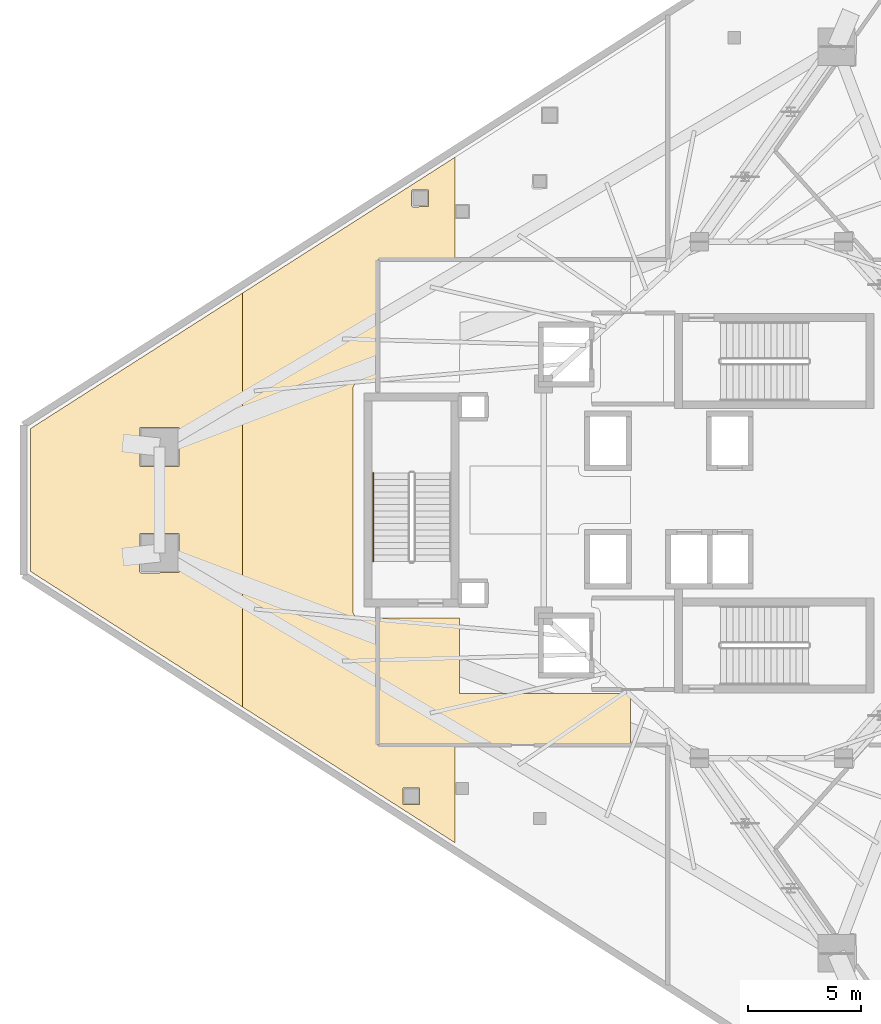
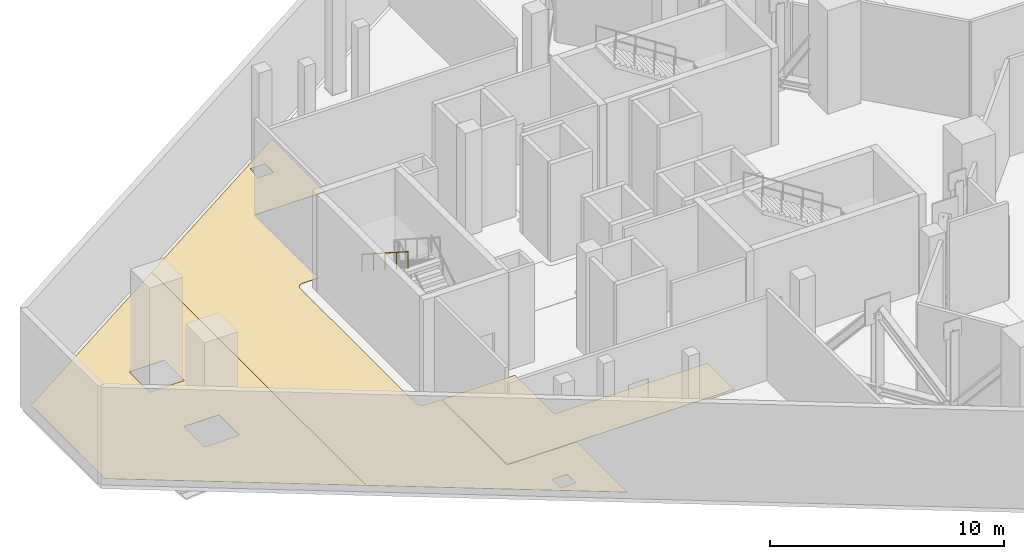
# One storey, part 5 of 9: 3 coverings, 1 railing.
"""IFC4 building model written with IfcOpenShell, lengths in metres."""

from ifc_helpers import new_model, si_unit, direction, frame, origin, origin_2d, place, context, subcontext, project, spatial, polyline, circle, outline, extrude, material, layer, layer_set, type_object, element, save


model = new_model("IFC4")

# Units and contexts
model_context = context("Model", 3, precision=1e-05, world=origin(), true_north=direction((0.0, 1.0)))
body_context = subcontext(model_context, "Body", "Model", "MODEL_VIEW")
ifc_project = project(units=[si_unit("LENGTHUNIT", "METRE"), si_unit("AREAUNIT", "SQUARE_METRE"), si_unit("VOLUMEUNIT", "CUBIC_METRE"), si_unit("PLANEANGLEUNIT", "RADIAN"), si_unit("MASSUNIT", "GRAM", prefix="KILO")], contexts=[model_context])

# Site, building, storey
site_placement = place(None, origin())
site = spatial("IfcSite", under=ifc_project, at=site_placement, CompositionType="ELEMENT")
building_placement = place(site_placement, origin())
building = spatial("IfcBuilding", under=site, at=building_placement, Name="Qorvath Tower", CompositionType="ELEMENT")
storey_placement = place(building_placement, frame((0.0, 0.0, 249.60009765625)))
storey = spatial("IfcBuildingStorey", under=building, at=storey_placement, Name="L58", CompositionType="ELEMENT", Elevation=249.60009765625)

# Coverings
ifc_material_1 = material(Name="Low-VOC modular carpet tile", Category="textile")
ifc_layer_1 = layer(ifc_material_1, 0.014892578125)
ifc_layer_set_1 = layer_set([ifc_layer_1], Name="COV-FLOOR-CPT")
covering_type_1 = type_object("IfcCoveringType", Name="COV-FLOOR-CPT", PredefinedType="FLOORING", material=ifc_layer_set_1)
covering_1_placement = place(storey_placement, origin())
element("IfcCovering", 1, at=covering_1_placement, inside=storey, type_object=covering_type_1, Name="L58 Floor Finish 006", PredefinedType="FLOORING", context=body_context, shape_type="SweptSolid", body=[
    extrude(outline(polyline([(-53.266357421875, 3.16064453125), (-53.266357421875, -3.16064453125), (-43.845947265625, -9.181396484375), (-43.845947265625, 9.181396484375), (-53.266357421875, 3.16064453125)]), holes=[polyline([(-48.422607421875, -3.174560546875), (-48.405029296875, -1.482177734375), (-46.670166015625, -1.482177734375), (-46.670166015625, -3.217041015625), (-48.362548828125, -3.234619140625), (-48.422607421875, -3.174560546875)]), polyline([(-48.405029296875, 1.482177734375), (-48.405029296875, 3.217041015625), (-46.670166015625, 3.217041015625), (-46.670166015625, 1.482177734375), (-48.405029296875, 1.482177734375)])]), origin(), (0.0, 0.0, 1.0), 0.014892578125),
])
covering_2_placement = place(storey_placement, origin())
element("IfcCovering", 2, at=covering_2_placement, inside=storey, type_object=covering_type_1, Name="L58 Floor Finish 007", PredefinedType="FLOORING", context=body_context, shape_type="SweptSolid", body=[
    extrude(outline(polyline([(-43.845947265625, 9.181396484375), (-43.845947265625, -9.181396484375), (-34.425537109375, -15.202392578125), (-34.425537109375, -10.86181640625), (-37.861572265625, -10.861572265625), (-37.863037109375, -5.239990234375), (-38.699951171875, -5.239990234375), (-38.876708984375, -5.166748046875), (-38.949951171875, -4.989990234375), (-38.949951171875, 4.989990234375), (-38.876708984375, 5.166748046875), (-38.699951171875, 5.239990234375), (-37.863037109375, 5.239990234375), (-37.85791015625, 10.6630859375), (-34.425537109375, 10.6630859375), (-34.425537109375, 15.202392578125), (-43.845947265625, 9.181396484375)]), holes=[polyline([(-36.36572265625, 13.055908203125), (-36.34814453125, 13.748291015625), (-35.61328125, 13.748291015625), (-35.61328125, 13.013427734375), (-36.3056640625, 12.995849609375), (-36.36572265625, 13.055908203125)]), polyline([(-36.732177734375, -13.5029296875), (-36.732177734375, -12.76806640625), (-35.997314453125, -12.76806640625), (-35.997314453125, -13.5029296875), (-36.732177734375, -13.5029296875)])]), origin(), (0.0, 0.0, 1.0), 0.014892578125),
])
ifc_material_2 = material(Name="Polished epoxy terrazzo flooring", Category="concrete")
ifc_layer_2 = layer(ifc_material_2, 0.02001953125)
ifc_layer_set_2 = layer_set([ifc_layer_2], Name="COV-FLOOR-TRZ")
covering_type_2 = type_object("IfcCoveringType", Name="COV-FLOOR-TRZ", PredefinedType="FLOORING", material=ifc_layer_set_2)
covering_3_placement = place(storey_placement, origin())
element("IfcCovering", 3, at=covering_3_placement, inside=storey, type_object=covering_type_2, Name="L58 Floor Finish 003", PredefinedType="FLOORING", context=body_context, shape_type="SweptSolid", body=[
    extrude(outline(polyline([(-34.22509765625, -8.580078125), (-34.22509765625, -5.239990234375), (-37.844970703125, -5.239990234375), (-37.844970703125, -10.844970703125), (-26.647705078125, -10.844970703125), (-26.647705078125, -8.5751953125), (-34.22509765625, -8.580078125)])), origin(), (0.0, 0.0, 1.0), 0.014892578125),
])

# Railing
ifc_material_3 = material(Name="Brushed stainless steel AISI 304", Category="steel")
railing_type = type_object("IfcRailingType", Name="RL-STR-HND", PredefinedType="HANDRAIL", material=ifc_material_3)
railing_placement = place(storey_placement, frame((-38.06005859375, 1.199951171875, 2.8798828125)))
element("IfcRailing", 4, at=railing_placement, inside=storey, type_object=railing_type, Name="L58 TS3 stair handrail 2", PredefinedType="HANDRAIL", context=body_context, shape_type="SweptSolid", body=[
    extrude(circle(Radius=0.02392578125, at=origin_2d()), frame((0.0, 0.0, 0.8759765625), z_axis=(0.0, -0.841171666519, 0.540768182723), x_axis=(1.0, 0.0, 0.0)), (0.0, 0.0, 1.0), 4.66015625),
    extrude(circle(Radius=0.02099609375, at=origin_2d()), origin(), (0.0, 0.0, 1.0), 0.851806640625),
    extrude(circle(Radius=0.02099609375, at=origin_2d()), frame((0.0, -0.97998046875, 0.6298828125)), (0.0, 0.0, 1.0), 0.851806640625),
    extrude(circle(Radius=0.02099609375, at=origin_2d()), frame((0.0, -1.9599609375, 1.260009765625)), (0.0, 0.0, 1.0), 0.851806640625),
    extrude(circle(Radius=0.02099609375, at=origin_2d()), frame((0.0, -2.93994140625, 1.89013671875)), (0.0, 0.0, 1.0), 0.851806640625),
    extrude(circle(Radius=0.02099609375, at=origin_2d()), frame((0.0, -3.919921875, 2.52001953125)), (0.0, 0.0, 1.0), 0.851806640625),
])

save(model, "model.ifc")
